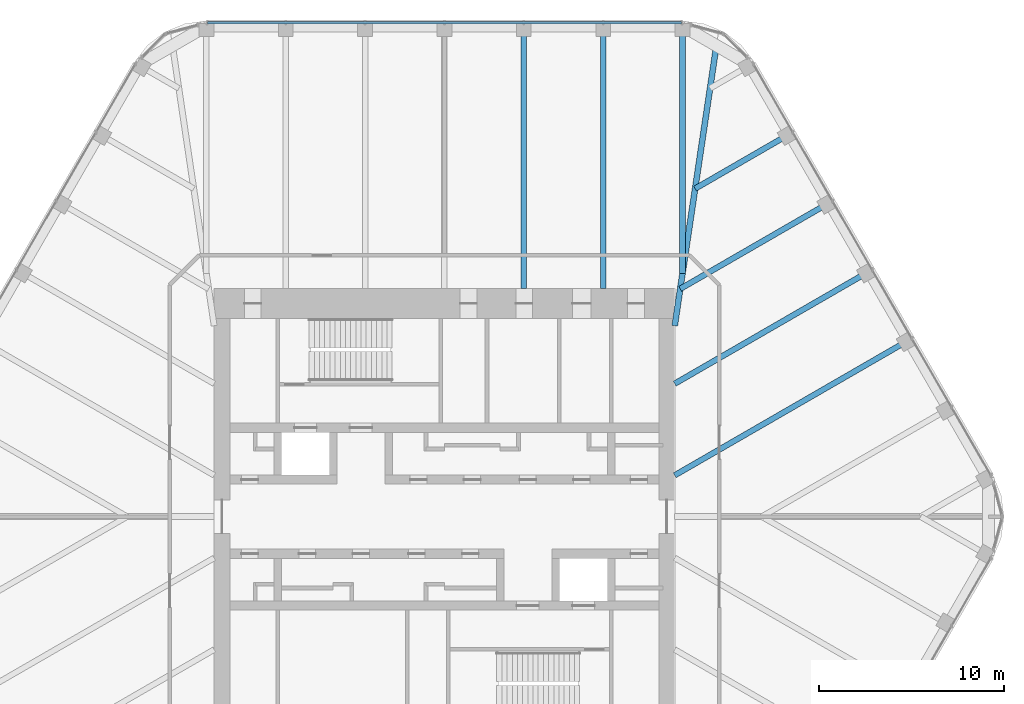
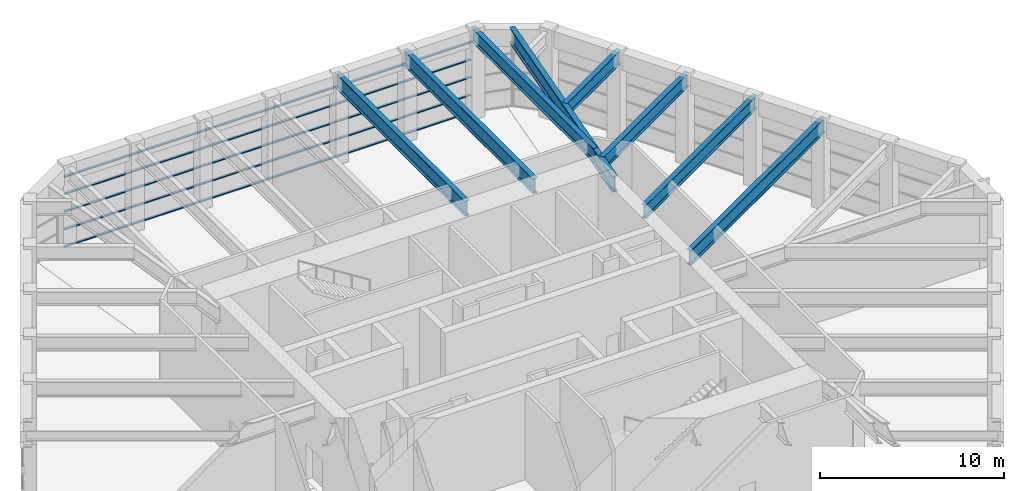
# One storey, part 8 of 16: 8 beams, 5 members, 1 element without a shape of its own.
"""IFC4 building model written with IfcOpenShell, lengths in metres."""

from ifc_helpers import new_model, si_unit, direction, frame, origin, origin_2d, place, context, subcontext, project, spatial, rectangle, i_section, extrude, material, material_profile, profile_set, type_object, element, aggregate, save


model = new_model("IFC4")

# Units and contexts
model_context = context("Model", 3, precision=1e-05, world=origin(), true_north=direction((0.0, 1.0)))
body_context = subcontext(model_context, "Body", "Model", "MODEL_VIEW")
ifc_project = project(units=[si_unit("LENGTHUNIT", "METRE"), si_unit("AREAUNIT", "SQUARE_METRE"), si_unit("VOLUMEUNIT", "CUBIC_METRE"), si_unit("PLANEANGLEUNIT", "RADIAN"), si_unit("MASSUNIT", "GRAM", prefix="KILO")], contexts=[model_context])

# Site, building, storey
site_placement = place(None, origin())
site = spatial("IfcSite", under=ifc_project, at=site_placement, CompositionType="ELEMENT")
building_placement = place(site_placement, origin())
building = spatial("IfcBuilding", under=site, at=building_placement, Name="Tarfa Lantern Tower", CompositionType="ELEMENT")
storey_placement = place(building_placement, frame((0.0, 0.0, 396.300048828125)))
storey = spatial("IfcBuildingStorey", under=building, at=storey_placement, Name="L90", CompositionType="ELEMENT", Elevation=396.300048828125)

# Curtain wall, members
ifc_material_1 = material(Name="Aluminium framed curtain wall", Category="aluminium")
curtain_wall_type = type_object("IfcCurtainWallType", Name="CW8 LANTERN GLAZING 4700", PredefinedType="USERDEFINED", material=ifc_material_1)
curtain_wall_placement = place(storey_placement, origin())
curtain_wall = element("IfcCurtainWall", 1, at=curtain_wall_placement, inside=storey, type_object=curtain_wall_type, Name="CW8 N L90", ObjectType="CURTAIN WALL", PredefinedType="USERDEFINED")
ifc_material_2 = material(Name="Aluminium transom", Category="aluminium")
ifc_material_profile_1 = material_profile(ifc_material_2, rectangle(XDim=0.14990234375, YDim=0.06494140625, at=origin_2d()), Name="AL TRANSOM 150x65")
ifc_profile_set_1 = profile_set([ifc_material_profile_1], Name="Aluminium transom")
member_type = type_object("IfcMemberType", Name="CWT1 TRANSOM 150x65", PredefinedType="USERDEFINED", material=ifc_profile_set_1)
member_1_placement = place(storey_placement, frame((12.781005859375, 26.64990234375, 0.032470703125), z_axis=(-1.0, 0.0, 0.0), x_axis=(0.0, -1.0, 0.0)))
member_1 = element("IfcMember", 2, at=member_1_placement, type_object=member_type, Name="CW8 transom 1.1", ObjectType="TRANSOM", PredefinedType="USERDEFINED", context=body_context, shape_type="SweptSolid", body=[
    extrude(rectangle(XDim=0.14990234375, YDim=0.06494140625, at=origin_2d()), origin(), (0.0, 0.0, 1.0), 25.56201171875),
])
member_2_placement = place(storey_placement, frame((12.781005859375, 26.64990234375, 1.175048828125), z_axis=(-1.0, 0.0, 0.0), x_axis=(0.0, -1.0, 0.0)))
member_2 = element("IfcMember", 3, at=member_2_placement, type_object=member_type, Name="CW8 transom 1.2", ObjectType="TRANSOM", PredefinedType="USERDEFINED", context=body_context, shape_type="SweptSolid", body=[
    extrude(rectangle(XDim=0.14990234375, YDim=0.06494140625, at=origin_2d()), origin(), (0.0, 0.0, 1.0), 25.56201171875),
])
member_3_placement = place(storey_placement, frame((12.781005859375, 26.64990234375, 2.349853515625), z_axis=(-1.0, 0.0, 0.0), x_axis=(0.0, -1.0, 0.0)))
member_3 = element("IfcMember", 4, at=member_3_placement, type_object=member_type, Name="CW8 transom 1.3", ObjectType="TRANSOM", PredefinedType="USERDEFINED", context=body_context, shape_type="SweptSolid", body=[
    extrude(rectangle(XDim=0.14990234375, YDim=0.06494140625, at=origin_2d()), origin(), (0.0, 0.0, 1.0), 25.56201171875),
])
member_4_placement = place(storey_placement, frame((12.781005859375, 26.64990234375, 3.52490234375), z_axis=(-1.0, 0.0, 0.0), x_axis=(0.0, -1.0, 0.0)))
member_4 = element("IfcMember", 5, at=member_4_placement, type_object=member_type, Name="CW8 transom 1.4", ObjectType="TRANSOM", PredefinedType="USERDEFINED", context=body_context, shape_type="SweptSolid", body=[
    extrude(rectangle(XDim=0.14990234375, YDim=0.06494140625, at=origin_2d()), origin(), (0.0, 0.0, 1.0), 25.56201171875),
])
member_5_placement = place(storey_placement, frame((12.781005859375, 26.64990234375, 4.66748046875), z_axis=(-1.0, 0.0, 0.0), x_axis=(0.0, -1.0, 0.0)))
member_5 = element("IfcMember", 6, at=member_5_placement, type_object=member_type, Name="CW8 transom 1.5", ObjectType="TRANSOM", PredefinedType="USERDEFINED", context=body_context, shape_type="SweptSolid", body=[
    extrude(rectangle(XDim=0.14990234375, YDim=0.06494140625, at=origin_2d()), origin(), (0.0, 0.0, 1.0), 25.56201171875),
])
aggregate(curtain_wall, [member_1, member_2, member_3, member_4, member_5])

# Beams
ifc_material_3 = material(Name="Steel S460M", Category="steel")
ifc_material_profile_2 = material_profile(ifc_material_3, i_section(OverallWidth=0.302001953125, OverallDepth=1.008056640625, WebThickness=0.02099609375, FlangeThickness=0.0400390625, FilletRadius=0.030029296875, at=origin_2d()), Name="UB1016x305x349")
ifc_profile_set_2 = profile_set([ifc_material_profile_2], Name="Steel S460M")
beam_type_1 = type_object("IfcBeamType", Name="UB1016x305x349", PredefinedType="BEAM", material=ifc_profile_set_2)
beam_1_placement = place(storey_placement, frame((25.064697265625, 9.526611328125, 5.2958984375), z_axis=(-0.866029591389, -0.499992746786, 0.0), x_axis=(0.499992746786, -0.866029591389, 0.0)))
element("IfcBeam", 7, at=beam_1_placement, inside=storey, type_object=beam_type_1, Name="Floor beam NE2", PredefinedType="BEAM", context=body_context, shape_type="SweptSolid", body=[
    extrude(i_section(OverallWidth=0.302001953125, OverallDepth=1.008056640625, WebThickness=0.02099609375, FlangeThickness=0.0400390625, FilletRadius=0.030029296875, at=origin_2d()), origin(), (0.0, 0.0, 1.0), 14.594970703125),
])
for number, where, z_axis, x_axis, name in (
    (8, (8.56396484375, 26.469970703125, 5.2958984375), (0.0, -1.0, 0.0), (1.0, 0.0, 0.0), "Floor beam N1"),
    (9, (4.281982421875, 26.469970703125, 5.2958984375), (0.0, -1.0, 0.0), (1.0, 0.0, 0.0), "Floor beam N2"),
):
    element("IfcBeam", number, at=place(storey_placement, frame(where, z_axis=z_axis, x_axis=x_axis)), inside=storey, type_object=beam_type_1, Name=name, PredefinedType="BEAM", context=body_context, shape_type="SweptSolid", body=[
        extrude(i_section(OverallWidth=0.302001953125, OverallDepth=1.008056640625, WebThickness=0.02099609375, FlangeThickness=0.0400390625, FilletRadius=0.030029296875, at=origin_2d()), origin(), (0.0, 0.0, 1.0), 14.169921875),
    ])
ifc_material_profile_3 = material_profile(ifc_material_3, i_section(OverallWidth=0.314208984375, OverallDepth=1.055908203125, WebThickness=0.035888671875, FlangeThickness=0.06396484375, FilletRadius=0.030029296875, at=origin_2d()), Name="UB1016x305x584")
ifc_profile_set_3 = profile_set([ifc_material_profile_3], Name="Steel S460M")
beam_type_2 = type_object("IfcBeamType", Name="UB1016x305x584", PredefinedType="BEAM", material=ifc_profile_set_3)
beam_2_placement = place(storey_placement, frame((12.425048828125, 10.300048828125, 5.27197265625), z_axis=(0.147127069073, 0.989117599452, 0.0), x_axis=(-0.989117599452, 0.147127069073, 0.0)))
element("IfcBeam", 10, at=beam_2_placement, inside=storey, type_object=beam_type_2, Name="Hip girder NE", PredefinedType="BEAM", context=body_context, shape_type="SweptSolid", body=[
    extrude(i_section(OverallWidth=0.314208984375, OverallDepth=1.055908203125, WebThickness=0.035888671875, FlangeThickness=0.06396484375, FilletRadius=0.030029296875, at=origin_2d()), origin(), (0.0, 0.0, 1.0), 15.28125),
])
ifc_material_profile_4 = material_profile(ifc_material_3, i_section(OverallWidth=0.305419921875, OverallDepth=0.91845703125, WebThickness=0.017333984375, FlangeThickness=0.02783203125, FilletRadius=0.01904296875, at=origin_2d()), Name="UB914x305x253")
ifc_profile_set_4 = profile_set([ifc_material_profile_4], Name="Steel S460M")
beam_type_3 = type_object("IfcBeamType", Name="UB914x305x253", PredefinedType="BEAM", material=ifc_profile_set_4)
beam_3_placement = place(storey_placement, frame((22.923583984375, 13.235107421875, 5.3408203125), z_axis=(-0.86601856927, -0.500011837539, 0.0), x_axis=(0.500011837539, -0.86601856927, 0.0)))
element("IfcBeam", 11, at=beam_3_placement, inside=storey, type_object=beam_type_3, Name="Floor beam NE3", PredefinedType="BEAM", context=body_context, shape_type="SweptSolid", body=[
    extrude(i_section(OverallWidth=0.305419921875, OverallDepth=0.91845703125, WebThickness=0.017333984375, FlangeThickness=0.02783203125, FilletRadius=0.01904296875, at=origin_2d()), origin(), (0.0, 0.0, 1.0), 12.122802734375),
])
beam_4_placement = place(storey_placement, frame((20.78271484375, 16.943359375, 5.3408203125), z_axis=(-0.866021806508, -0.500006230613, 0.0), x_axis=(0.500006230613, -0.866021806508, 0.0)))
element("IfcBeam", 12, at=beam_4_placement, inside=storey, type_object=beam_type_3, Name="Floor beam NE4", PredefinedType="BEAM", context=body_context, shape_type="SweptSolid", body=[
    extrude(i_section(OverallWidth=0.305419921875, OverallDepth=0.91845703125, WebThickness=0.017333984375, FlangeThickness=0.02783203125, FilletRadius=0.01904296875, at=origin_2d()), origin(), (0.0, 0.0, 1.0), 9.30908203125),
])
beam_5_placement = place(storey_placement, frame((18.6416015625, 20.651611328125, 5.3408203125), z_axis=(-0.866024549157, -0.500001480256, 0.0), x_axis=(0.500001480256, -0.866024549157, 0.0)))
element("IfcBeam", 13, at=beam_5_placement, inside=storey, type_object=beam_type_3, Name="Floor beam NE5", PredefinedType="BEAM", context=body_context, shape_type="SweptSolid", body=[
    extrude(i_section(OverallWidth=0.305419921875, OverallDepth=0.91845703125, WebThickness=0.017333984375, FlangeThickness=0.02783203125, FilletRadius=0.01904296875, at=origin_2d()), origin(), (0.0, 0.0, 1.0), 5.90771484375),
])
beam_6_placement = place(storey_placement, frame((12.845947265625, 26.469970703125, 5.3408203125), z_axis=(0.0, -1.0, 0.0), x_axis=(1.0, 0.0, 0.0)))
element("IfcBeam", 14, at=beam_6_placement, inside=storey, type_object=beam_type_3, Name="Floor beam N0", PredefinedType="BEAM", context=body_context, shape_type="SweptSolid", body=[
    extrude(i_section(OverallWidth=0.305419921875, OverallDepth=0.91845703125, WebThickness=0.017333984375, FlangeThickness=0.02783203125, FilletRadius=0.01904296875, at=origin_2d()), origin(), (0.0, 0.0, 1.0), 13.33935546875),
])

save(model, "model.ifc")
